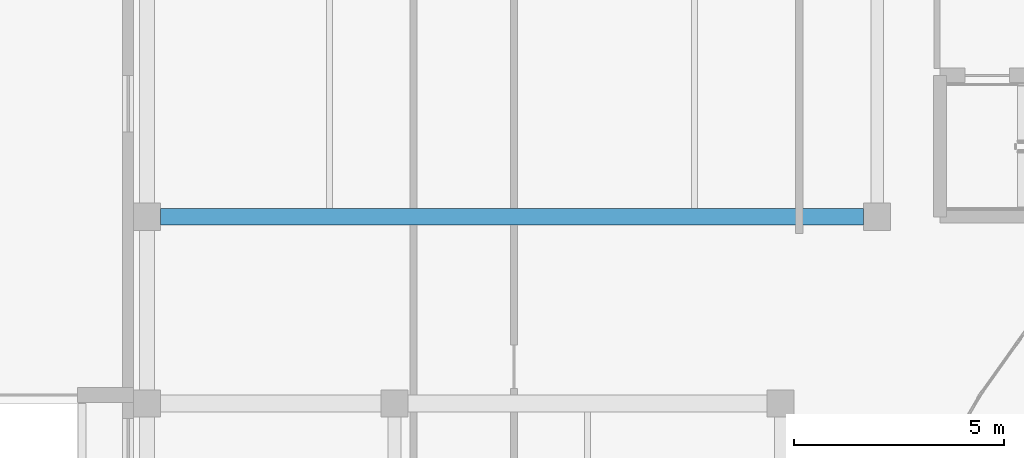
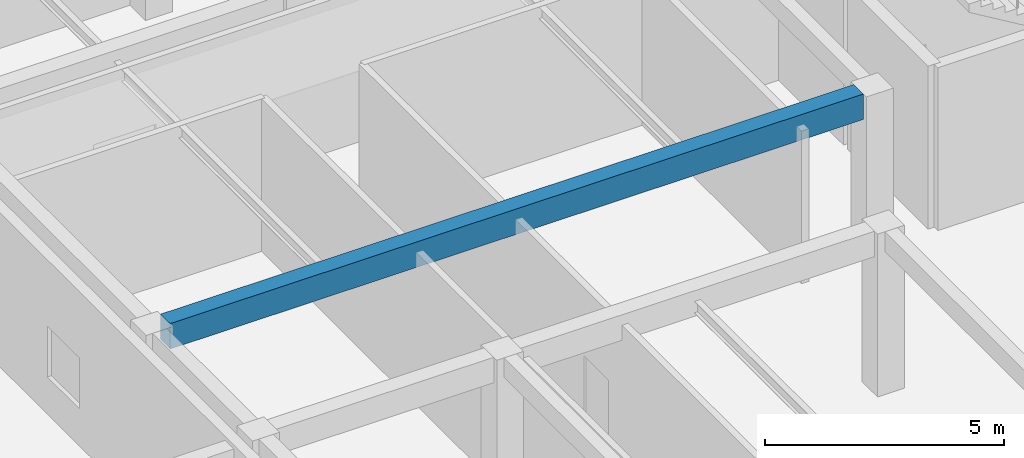
# One storey, part 26 of 114: 1 beam.
"""IFC4 building model written with IfcOpenShell, lengths in metres."""

import ifcopenshell
import ifcopenshell.guid

model = None  # the IFC model being written
_history = None  # IfcOwnerHistory: only IFC2X3 demands one
_inside = {}  # id of a spatial element -> (the spatial element, [elements in it])
_under = {}  # id of a project, library or spatial element -> (it, [spatial elements below it])
_declared = {}  # id of a project -> (the project, [libraries it declares])
_typed = {}  # id of a type object -> (the type object, [elements of that type])
_made_of = {}  # id of a material, layer set ... -> (it, [elements and type objects made of it])


def new_model(schema):
    """Start an empty IFC model of exactly this schema.

    Asked for "IFC4X3", IfcOpenShell would pick the latest addendum, in which some entities
    have other attributes; the version numbers below select the first issue.
    IFC2X3 requires an IfcOwnerHistory on every rooted entity: one is made here for all.
    """
    global model, _history
    if schema == "IFC4X3":
        model = ifcopenshell.file(schema_version=(4, 3, 0, 0))
    else:
        model = ifcopenshell.file(schema=schema)
    _inside.clear()
    _under.clear()
    _declared.clear()
    _typed.clear()
    _made_of.clear()
    _history = None
    if model.schema == "IFC2X3":
        org = make("IfcOrganization", Name="unknown")
        user = make(
            "IfcPersonAndOrganization",
            ThePerson=make("IfcPerson", FamilyName="unknown"),
            TheOrganization=org,
        )
        app = make(
            "IfcApplication",
            ApplicationDeveloper=org,
            Version="unknown",
            ApplicationFullName="unknown",
            ApplicationIdentifier="unknown",
        )
        _history = make(
            "IfcOwnerHistory",
            OwningUser=user,
            OwningApplication=app,
            ChangeAction="ADDED",
            CreationDate=0,
        )
    return model


def make(cls, **values):
    """One entity of the class cls with the attributes given. An attribute that is None is left unset."""
    return model.create_entity(
        cls, **{name: value for name, value in values.items() if value is not None}
    )


def rooted(cls, **values):
    """An entity with a GlobalId (a new one), such as an element, a storey or a relation."""
    return make(cls, GlobalId=ifcopenshell.guid.new(), OwnerHistory=_history, **values)


def si_unit(unit_type, name, prefix=None):
    """IfcSIUnit, for example si_unit("LENGTHUNIT", "METRE", prefix="MILLI")."""
    return make("IfcSIUnit", UnitType=unit_type, Prefix=prefix, Name=name)


def assignment(units):
    """IfcUnitAssignment: the units of a project."""
    return None if units is None else make("IfcUnitAssignment", Units=units)


def point(xyz):
    """IfcCartesianPoint."""
    return None if xyz is None else make("IfcCartesianPoint", Coordinates=xyz)


def direction(xyz):
    """IfcDirection."""
    return None if xyz is None else make("IfcDirection", DirectionRatios=xyz)


def frame(location, z_axis=None, x_axis=None):
    """IfcAxis2Placement3D, a coordinate frame: its origin and axes. An axis left out is left unset."""
    return make(
        "IfcAxis2Placement3D",
        Location=point(location),
        Axis=direction(z_axis),
        RefDirection=direction(x_axis),
    )


def frame_2d(location, x_axis=None):
    """IfcAxis2Placement2D, a coordinate frame in the plane: its origin and x axis."""
    return make(
        "IfcAxis2Placement2D", Location=point(location), RefDirection=direction(x_axis)
    )


def origin():
    """The frame at (0, 0, 0) with its axes left unset."""
    return frame((0.0, 0.0, 0.0))


def origin_2d():
    """The frame at (0, 0) in the plane with its x axis left unset."""
    return frame_2d((0.0, 0.0))


def place(relative_to, where):
    """IfcLocalPlacement: puts the frame where relative to a parent placement (None: the world)."""
    return make(
        "IfcLocalPlacement", PlacementRelTo=relative_to, RelativePlacement=where
    )


def context(
    kind, dimensions, precision=None, world=None, true_north=None, identifier=None
):
    """IfcGeometricRepresentationContext, for example the 3D "Model" context."""
    return make(
        "IfcGeometricRepresentationContext",
        ContextIdentifier=identifier,
        ContextType=kind,
        CoordinateSpaceDimension=dimensions,
        Precision=precision,
        WorldCoordinateSystem=world,
        TrueNorth=true_north,
    )


def subcontext(parent, identifier, kind, view, scale=None):
    """IfcGeometricRepresentationSubContext, for example "Body" below "Model"."""
    return make(
        "IfcGeometricRepresentationSubContext",
        ContextIdentifier=identifier,
        ContextType=kind,
        ParentContext=parent,
        TargetScale=scale,
        TargetView=view,
    )


def project(units=None, contexts=None):
    """IfcProject with its units and contexts."""
    return rooted(
        "IfcProject",
        Name="project",
        RepresentationContexts=contexts,
        UnitsInContext=assignment(units),
    )


def spatial(cls, under=None, at=None, **own):
    """A site, building, storey or space (cls), placed at a placement, below another one or the project."""
    s = rooted(cls, ObjectPlacement=at, **own)
    if under is not None:
        _under.setdefault(under.id(), (under, []))[1].append(s)
    return s


def profile(cls, at=None, kind="AREA", **sizes):
    """A parametric profile (cls). Its sizes go by their IFC names, for example OverallWidth=200.0."""
    return make(cls, ProfileType=kind, Position=at, **sizes)


def rectangle(**sizes):
    """IfcRectangleProfileDef."""
    return profile("IfcRectangleProfileDef", **sizes)


def extrude(swept, where, along, depth):
    """IfcExtrudedAreaSolid: the profile swept, set in the frame where, extruded along a direction by depth."""
    return make(
        "IfcExtrudedAreaSolid",
        SweptArea=swept,
        Position=where,
        ExtrudedDirection=direction(along),
        Depth=depth,
    )


def shape(context_of_items, identifier, shape_type, items):
    """IfcShapeRepresentation: the items that make up one representation, for example the "Body"."""
    return make(
        "IfcShapeRepresentation",
        ContextOfItems=context_of_items,
        RepresentationIdentifier=identifier,
        RepresentationType=shape_type,
        Items=items,
    )


def material(Name=None, Category=None):
    """IfcMaterial."""
    return make("IfcMaterial", Name=Name, Category=Category)


def material_profile(
    of_material, cross_section, Name=None, Category=None, Priority=None
):
    """IfcMaterialProfile: a cross section and its material."""
    return make(
        "IfcMaterialProfile",
        Name=Name,
        Material=of_material,
        Profile=cross_section,
        Priority=Priority,
        Category=Category,
    )


def profile_set(profiles, Name=None, composite=None):
    """IfcMaterialProfileSet."""
    return make(
        "IfcMaterialProfileSet",
        Name=Name,
        MaterialProfiles=profiles,
        CompositeProfile=composite,
    )


def made_of(thing, what):
    """Note that an element or type object is made of a material, layer set ...; save() writes the relation."""
    if what is not None:
        _made_of.setdefault(what.id(), (what, []))[1].append(thing)
    return thing


def type_object(cls, material=None, **own):
    """A type object (cls), such as IfcWallType, which elements share."""
    return made_of(rooted(cls, **own), material)


def element(
    cls,
    number,
    at=None,
    inside=None,
    cuts=None,
    type_object=None,
    material=None,
    context=None,
    identifier="Body",
    shape_type=None,
    held_by="IfcProductDefinitionShape",
    body=None,
    shapes=None,
    **own,
):
    """One element of the class cls, such as IfcWall. Its Tag is "e" and its number.

    at: its placement. inside: the storey or other place that contains it. cuts: it is an
    opening in that element (IfcRelVoidsElement). A single representation is given by context,
    identifier, shape_type and body (its items); several are given by shapes. held_by: the class
    of the entity that holds the representations. save() writes the other relations.
    """
    e = rooted(cls, Tag="e%d" % number, ObjectPlacement=at, **own)
    if body is not None:
        shapes = [shape(context, identifier, shape_type, body)]
    if shapes is not None:
        e.Representation = make(held_by, Representations=shapes)
    if inside is not None:
        _inside.setdefault(inside.id(), (inside, []))[1].append(e)
    if cuts is not None:
        rooted(
            "IfcRelVoidsElement", RelatingBuildingElement=cuts, RelatedOpeningElement=e
        )
    if type_object is not None:
        _typed.setdefault(type_object.id(), (type_object, []))[1].append(e)
    return made_of(e, material)


def aggregate(whole, parts):
    """IfcRelAggregates: a whole, such as a stair, and the parts it consists of."""
    return rooted("IfcRelAggregates", RelatingObject=whole, RelatedObjects=parts)


def save(model, path):
    """Write the relations noted so far, then the file.

    IfcRelAggregates (storeys below a building ...), IfcRelContainedInSpatialStructure (elements
    in a storey), IfcRelDefinesByType, IfcRelAssociatesMaterial and IfcRelDeclares: one each for
    every whole, place, type object, material and project.
    """
    for whole, parts in _under.values():
        aggregate(whole, parts)
    for where, things in _inside.values():
        rooted(
            "IfcRelContainedInSpatialStructure",
            RelatedElements=things,
            RelatingStructure=where,
        )
    for kind, things in _typed.values():
        rooted("IfcRelDefinesByType", RelatedObjects=things, RelatingType=kind)
    for what, things in _made_of.values():
        rooted("IfcRelAssociatesMaterial", RelatedObjects=things, RelatingMaterial=what)
    for by, libraries in _declared.values():
        rooted("IfcRelDeclares", RelatingContext=by, RelatedDefinitions=libraries)
    model.write(path)


model = new_model("IFC4")

# Units and contexts
model_context = context("Model", 3, precision=1e-05, world=origin(), true_north=direction((0.0, 1.0)))
body_context = subcontext(model_context, "Body", "Model", "MODEL_VIEW")
ifc_project = project(units=[si_unit("LENGTHUNIT", "METRE"), si_unit("AREAUNIT", "SQUARE_METRE"), si_unit("VOLUMEUNIT", "CUBIC_METRE"), si_unit("PLANEANGLEUNIT", "RADIAN"), si_unit("MASSUNIT", "GRAM", prefix="KILO")], contexts=[model_context])

# Site, building, storey
site_placement = place(None, origin())
site = spatial("IfcSite", under=ifc_project, at=site_placement, CompositionType="ELEMENT")
building_placement = place(site_placement, origin())
building = spatial("IfcBuilding", under=site, at=building_placement, Name="Keldmere Railside Commons", CompositionType="ELEMENT")
storey_placement = place(building_placement, origin())
storey = spatial("IfcBuildingStorey", under=building, at=storey_placement, Name="L00", CompositionType="ELEMENT", Elevation=0.0)

# Beam
ifc_material = material(Name="Concrete H-30 (C30/37)", Category="concrete")
ifc_material_profile = material_profile(ifc_material, rectangle(XDim=0.39990234375, YDim=0.64990234375, at=origin_2d()), Name="RC-400x650")
ifc_profile_set = profile_set([ifc_material_profile], Name="Concrete H-30 (C30/37)")
beam_type = type_object("IfcBeamType", Name="Residential Spine RC Girder 400x650", PredefinedType="BEAM", material=ifc_profile_set)
beam_placement = place(storey_placement, frame((8.77490234375, 100.449951171875, 3.8349609375), z_axis=(1.0, 0.0, 0.0), x_axis=(0.0, 1.0, 0.0)))
element("IfcBeam", 1, at=beam_placement, inside=storey, type_object=beam_type, Name="BG-3 BM-L00-0499", PredefinedType="BEAM", context=body_context, shape_type="SweptSolid", body=[
    extrude(rectangle(XDim=0.39990234375, YDim=0.64990234375, at=origin_2d()), origin(), (0.0, 0.0, 1.0), 16.75),
])

save(model, "model.ifc")
